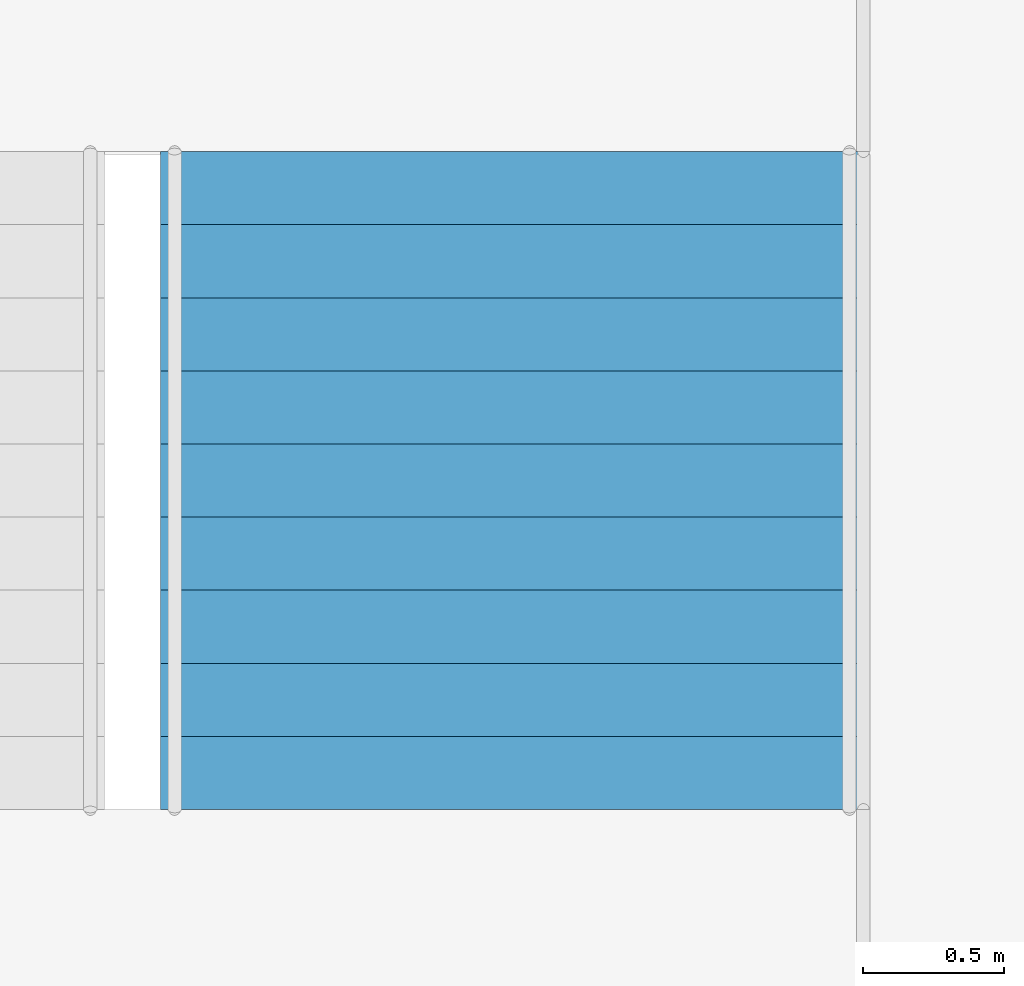
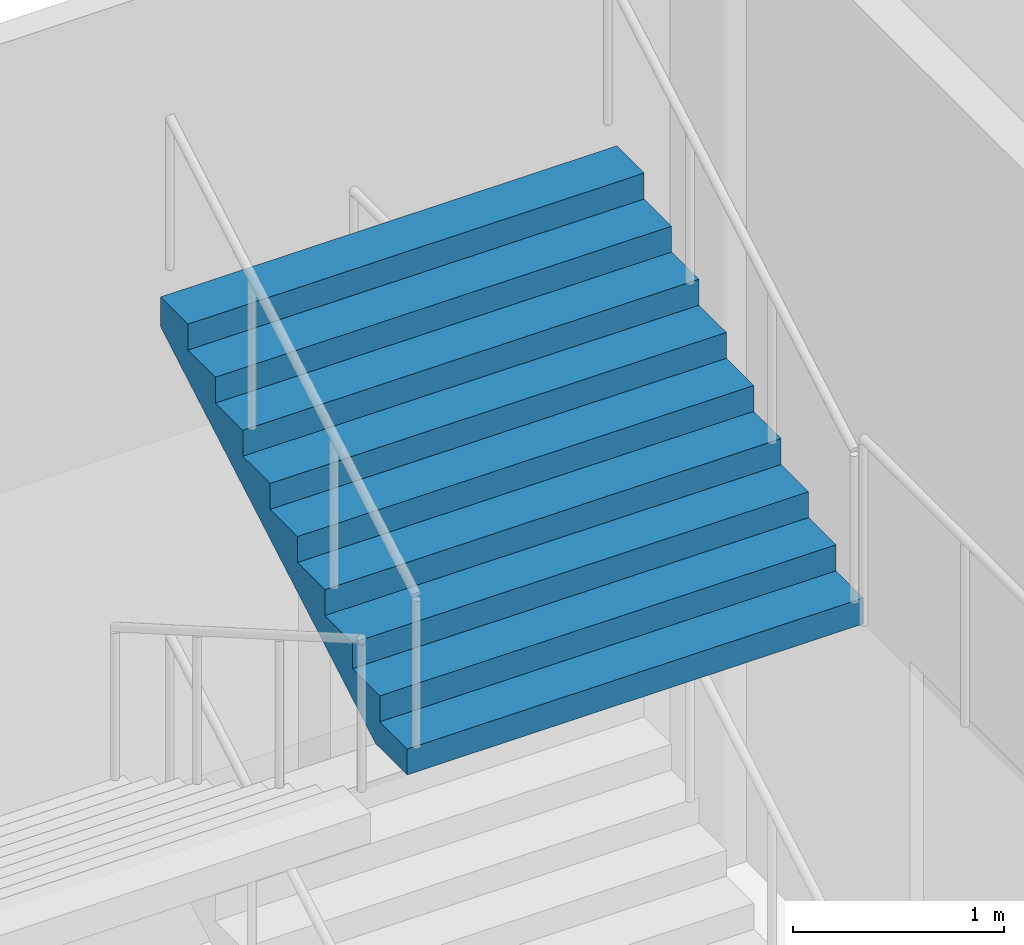
# One storey, part 61 of 100: 1 stair flight, 1 element without a shape of its own.
"""IFC4 building model written with IfcOpenShell, lengths in metres."""

from ifc_helpers import new_model, si_unit, direction, frame, origin, place, context, subcontext, project, spatial, triangles, material, type_object, element, aggregate, save


model = new_model("IFC4")

# Units and contexts
model_context = context("Model", 3, precision=1e-05, world=origin(), true_north=direction((0.0, 1.0)))
body_context = subcontext(model_context, "Body", "Model", "MODEL_VIEW")
ifc_project = project(units=[si_unit("LENGTHUNIT", "METRE"), si_unit("AREAUNIT", "SQUARE_METRE"), si_unit("VOLUMEUNIT", "CUBIC_METRE"), si_unit("PLANEANGLEUNIT", "RADIAN"), si_unit("MASSUNIT", "GRAM", prefix="KILO")], contexts=[model_context])

# Site, building, storey
site_placement = place(None, origin())
site = spatial("IfcSite", under=ifc_project, at=site_placement, CompositionType="ELEMENT")
building_placement = place(site_placement, origin())
building = spatial("IfcBuilding", under=site, at=building_placement, Name="Hakoniwa Tower and Hamabe Station Hall", CompositionType="ELEMENT")
storey_placement = place(building_placement, frame((0.0, 0.0, 9.0)))
storey = spatial("IfcBuildingStorey", under=building, at=storey_placement, Name="L02", CompositionType="ELEMENT", Elevation=9.0)

# Stair, stair flight
ifc_material_1 = material(Name="Concrete C40", Category="concrete")
stair_type = type_object("IfcStairType", Name="STAIR 2500 10X150", PredefinedType="HALF_TURN_STAIR", material=ifc_material_1)
stair_placement = place(storey_placement, origin())
stair = element("IfcStair", 1, at=stair_placement, inside=storey, type_object=stair_type, Name="Escape stair PS1", PredefinedType="HALF_TURN_STAIR")
ifc_material_2 = material(Name="Concrete C40", Category="concrete")
stair_flight_type = type_object("IfcStairFlightType", Name="STAIR FLIGHT 2500", PredefinedType="STRAIGHT", material=ifc_material_2)
stair_flight_placement = place(storey_placement, frame((-45.10009765625, 20.010009765625, 4.5), z_axis=(0.0, 0.0, 1.0), x_axis=(0.0, 1.0, 0.0)))
stair_flight = element("IfcStairFlight", 2, at=stair_flight_placement, type_object=stair_flight_type, Name="PS1 flight 4", NumberOfRisers=10, NumberOfTreads=9, PredefinedType="STRAIGHT", RiserHeight=0.15, TreadLength=0.26, context=body_context, shape_type="Tessellation", body=[
    triangles([(0.0, 1.25, 0.0), (0.260009765625, 1.25, 0.0), (0.300048828125, 1.25, 0.0), (0.52001953125, 1.25, 0.126953125), (0.780029296875, 1.25, 0.27685546875), (1.0400390625, 1.25, 0.427001953125), (1.300048828125, 1.25, 0.576904296875), (1.56005859375, 1.25, 0.72705078125), (1.820068359375, 1.25, 0.876953125), (2.080078125, 1.25, 1.02685546875), (2.340087890625, 1.25, 1.177001953125), (2.340087890625, 1.25, 1.35009765625), (2.080078125, 1.25, 1.35009765625), (2.080078125, 1.25, 1.199951171875), (1.820068359375, 1.25, 1.199951171875), (1.820068359375, 1.25, 1.050048828125), (1.56005859375, 1.25, 1.050048828125), (1.56005859375, 1.25, 0.89990234375), (1.300048828125, 1.25, 0.89990234375), (1.300048828125, 1.25, 0.75), (1.0400390625, 1.25, 0.75), (1.0400390625, 1.25, 0.60009765625), (0.780029296875, 1.25, 0.60009765625), (0.780029296875, 1.25, 0.449951171875), (0.52001953125, 1.25, 0.449951171875), (0.52001953125, 1.25, 0.300048828125), (0.300048828125, 1.25, 0.300048828125), (0.260009765625, 1.25, 0.300048828125), (0.260009765625, 1.25, 0.14990234375), (0.0, 1.25, 0.14990234375), (0.0, 0.06005859375, 0.0), (0.260009765625, 0.06005859375, 0.0), (0.300048828125, 0.06005859375, 0.0), (0.52001953125, 0.06005859375, 0.126953125), (0.780029296875, 0.06005859375, 0.27685546875), (1.0400390625, 0.06005859375, 0.427001953125), (1.300048828125, 0.06005859375, 0.576904296875), (1.56005859375, 0.06005859375, 0.72705078125), (1.820068359375, 0.06005859375, 0.876953125), (2.080078125, 0.06005859375, 1.02685546875), (2.340087890625, 0.06005859375, 1.177001953125), (2.340087890625, 0.06005859375, 1.35009765625), (2.080078125, 0.06005859375, 1.35009765625), (2.080078125, 0.06005859375, 1.199951171875), (1.820068359375, 0.06005859375, 1.199951171875), (1.820068359375, 0.06005859375, 1.050048828125), (1.56005859375, 0.06005859375, 1.050048828125), (1.56005859375, 0.06005859375, 0.89990234375), (1.300048828125, 0.06005859375, 0.89990234375), (1.300048828125, 0.06005859375, 0.75), (1.0400390625, 0.06005859375, 0.75), (1.0400390625, 0.06005859375, 0.60009765625), (0.780029296875, 0.06005859375, 0.60009765625), (0.780029296875, 0.06005859375, 0.449951171875), (0.52001953125, 0.06005859375, 0.449951171875), (0.52001953125, 0.06005859375, 0.300048828125), (0.300048828125, 0.06005859375, 0.300048828125), (0.260009765625, 0.06005859375, 0.300048828125), (0.260009765625, 0.06005859375, 0.14990234375), (0.0, 0.06005859375, 0.14990234375), (0.0, 0.049072265625, 0.0), (0.260009765625, 0.049072265625, 0.0), (0.300048828125, 0.049072265625, 0.0), (0.52001953125, 0.049072265625, 0.126953125), (0.780029296875, 0.049072265625, 0.27685546875), (1.0400390625, 0.049072265625, 0.427001953125), (1.300048828125, 0.049072265625, 0.576904296875), (1.56005859375, 0.049072265625, 0.72705078125), (1.820068359375, 0.049072265625, 0.876953125), (2.080078125, 0.049072265625, 1.02685546875), (2.340087890625, 0.049072265625, 1.177001953125), (2.340087890625, 0.049072265625, 1.35009765625), (2.080078125, 0.049072265625, 1.35009765625), (2.080078125, 0.049072265625, 1.199951171875), (1.820068359375, 0.049072265625, 1.199951171875), (1.820068359375, 0.049072265625, 1.050048828125), (1.56005859375, 0.049072265625, 1.050048828125), (1.56005859375, 0.049072265625, 0.89990234375), (1.300048828125, 0.049072265625, 0.89990234375), (1.300048828125, 0.049072265625, 0.75), (1.0400390625, 0.049072265625, 0.75), (1.0400390625, 0.049072265625, 0.60009765625), (0.780029296875, 0.049072265625, 0.60009765625), (0.780029296875, 0.049072265625, 0.449951171875), (0.52001953125, 0.049072265625, 0.449951171875), (0.52001953125, 0.049072265625, 0.300048828125), (0.300048828125, 0.049072265625, 0.300048828125), (0.260009765625, 0.049072265625, 0.300048828125), (0.260009765625, 0.049072265625, 0.14990234375), (0.0, 0.049072265625, 0.14990234375), (0.0, 0.0380859375, 0.0), (0.260009765625, 0.0380859375, 0.0), (0.300048828125, 0.0380859375, 0.0), (0.52001953125, 0.0380859375, 0.126953125), (0.780029296875, 0.0380859375, 0.27685546875), (1.0400390625, 0.0380859375, 0.427001953125), (1.300048828125, 0.0380859375, 0.576904296875), (1.56005859375, 0.0380859375, 0.72705078125), (1.820068359375, 0.0380859375, 0.876953125), (2.080078125, 0.0380859375, 1.02685546875), (2.340087890625, 0.0380859375, 1.177001953125), (2.340087890625, 0.0380859375, 1.35009765625), (2.080078125, 0.0380859375, 1.35009765625), (2.080078125, 0.0380859375, 1.199951171875), (1.820068359375, 0.0380859375, 1.199951171875), (1.820068359375, 0.0380859375, 1.050048828125), (1.56005859375, 0.0380859375, 1.050048828125), (1.56005859375, 0.0380859375, 0.89990234375), (1.300048828125, 0.0380859375, 0.89990234375), (1.300048828125, 0.0380859375, 0.75), (1.0400390625, 0.0380859375, 0.75), (1.0400390625, 0.0380859375, 0.60009765625), (0.780029296875, 0.0380859375, 0.60009765625), (0.780029296875, 0.0380859375, 0.449951171875), (0.52001953125, 0.0380859375, 0.449951171875), (0.52001953125, 0.0380859375, 0.300048828125), (0.300048828125, 0.0380859375, 0.300048828125), (0.260009765625, 0.0380859375, 0.300048828125), (0.260009765625, 0.0380859375, 0.14990234375), (0.0, 0.0380859375, 0.14990234375), (0.0, 0.02734375, 0.0), (0.260009765625, 0.02734375, 0.0), (0.300048828125, 0.02734375, 0.0), (0.52001953125, 0.02734375, 0.126953125), (0.780029296875, 0.02734375, 0.27685546875), (1.0400390625, 0.02734375, 0.427001953125), (1.300048828125, 0.02734375, 0.576904296875), (1.56005859375, 0.02734375, 0.72705078125), (1.820068359375, 0.02734375, 0.876953125), (2.080078125, 0.02734375, 1.02685546875), (2.340087890625, 0.02734375, 1.177001953125), (2.340087890625, 0.02734375, 1.35009765625), (2.080078125, 0.02734375, 1.35009765625), (2.080078125, 0.02734375, 1.199951171875), (1.820068359375, 0.02734375, 1.199951171875), (1.820068359375, 0.02734375, 1.050048828125), (1.56005859375, 0.02734375, 1.050048828125), (1.56005859375, 0.02734375, 0.89990234375), (1.300048828125, 0.02734375, 0.89990234375), (1.300048828125, 0.02734375, 0.75), (1.0400390625, 0.02734375, 0.75), (1.0400390625, 0.02734375, 0.60009765625), (0.780029296875, 0.02734375, 0.60009765625), (0.780029296875, 0.02734375, 0.449951171875), (0.52001953125, 0.02734375, 0.449951171875), (0.52001953125, 0.02734375, 0.300048828125), (0.300048828125, 0.02734375, 0.300048828125), (0.260009765625, 0.02734375, 0.300048828125), (0.260009765625, 0.02734375, 0.14990234375), (0.0, 0.02734375, 0.14990234375), (0.0, 0.016357421875, 0.0), (0.260009765625, 0.016357421875, 0.0), (0.300048828125, 0.016357421875, 0.0), (0.52001953125, 0.016357421875, 0.126953125), (0.780029296875, 0.016357421875, 0.27685546875), (1.0400390625, 0.016357421875, 0.427001953125), (1.300048828125, 0.016357421875, 0.576904296875), (1.56005859375, 0.016357421875, 0.72705078125), (1.820068359375, 0.016357421875, 0.876953125), (2.080078125, 0.016357421875, 1.02685546875), (2.340087890625, 0.016357421875, 1.177001953125), (2.340087890625, 0.016357421875, 1.35009765625), (2.080078125, 0.016357421875, 1.35009765625), (2.080078125, 0.016357421875, 1.199951171875), (1.820068359375, 0.016357421875, 1.199951171875), (1.820068359375, 0.016357421875, 1.050048828125), (1.56005859375, 0.016357421875, 1.050048828125), (1.56005859375, 0.016357421875, 0.89990234375), (1.300048828125, 0.016357421875, 0.89990234375), (1.300048828125, 0.016357421875, 0.75), (1.0400390625, 0.016357421875, 0.75), (1.0400390625, 0.016357421875, 0.60009765625), (0.780029296875, 0.016357421875, 0.60009765625), (0.780029296875, 0.016357421875, 0.449951171875), (0.52001953125, 0.016357421875, 0.449951171875), (0.52001953125, 0.016357421875, 0.300048828125), (0.300048828125, 0.016357421875, 0.300048828125), (0.260009765625, 0.016357421875, 0.300048828125), (0.260009765625, 0.016357421875, 0.14990234375), (0.0, 0.016357421875, 0.14990234375), (0.0, 0.00537109375, 0.0), (0.260009765625, 0.00537109375, 0.0), (0.300048828125, 0.00537109375, 0.0), (0.52001953125, 0.00537109375, 0.126953125), (0.780029296875, 0.00537109375, 0.27685546875), (1.0400390625, 0.00537109375, 0.427001953125), (1.300048828125, 0.00537109375, 0.576904296875), (1.56005859375, 0.00537109375, 0.72705078125), (1.820068359375, 0.00537109375, 0.876953125), (2.080078125, 0.00537109375, 1.02685546875), (2.340087890625, 0.00537109375, 1.177001953125), (2.340087890625, 0.00537109375, 1.35009765625), (2.080078125, 0.00537109375, 1.35009765625), (2.080078125, 0.00537109375, 1.199951171875), (1.820068359375, 0.00537109375, 1.199951171875), (1.820068359375, 0.00537109375, 1.050048828125), (1.56005859375, 0.00537109375, 1.050048828125), (1.56005859375, 0.00537109375, 0.89990234375), (1.300048828125, 0.00537109375, 0.89990234375), (1.300048828125, 0.00537109375, 0.75), (1.0400390625, 0.00537109375, 0.75), (1.0400390625, 0.00537109375, 0.60009765625), (0.780029296875, 0.00537109375, 0.60009765625), (0.780029296875, 0.00537109375, 0.449951171875), (0.52001953125, 0.00537109375, 0.449951171875), (0.52001953125, 0.00537109375, 0.300048828125), (0.300048828125, 0.00537109375, 0.300048828125), (0.260009765625, 0.00537109375, 0.300048828125), (0.260009765625, 0.00537109375, 0.14990234375), (0.0, 0.00537109375, 0.14990234375), (0.0, -0.00537109375, 0.0), (0.260009765625, -0.00537109375, 0.0), (0.300048828125, -0.00537109375, 0.0), (0.52001953125, -0.00537109375, 0.126953125), (0.780029296875, -0.00537109375, 0.27685546875), (1.0400390625, -0.00537109375, 0.427001953125), (1.300048828125, -0.00537109375, 0.576904296875), (1.56005859375, -0.00537109375, 0.72705078125), (1.820068359375, -0.00537109375, 0.876953125), (2.080078125, -0.00537109375, 1.02685546875), (2.340087890625, -0.00537109375, 1.177001953125), (2.340087890625, -0.00537109375, 1.35009765625), (2.080078125, -0.00537109375, 1.35009765625), (2.080078125, -0.00537109375, 1.199951171875), (1.820068359375, -0.00537109375, 1.199951171875), (1.820068359375, -0.00537109375, 1.050048828125), (1.56005859375, -0.00537109375, 1.050048828125), (1.56005859375, -0.00537109375, 0.89990234375), (1.300048828125, -0.00537109375, 0.89990234375), (1.300048828125, -0.00537109375, 0.75), (1.0400390625, -0.00537109375, 0.75), (1.0400390625, -0.00537109375, 0.60009765625), (0.780029296875, -0.00537109375, 0.60009765625), (0.780029296875, -0.00537109375, 0.449951171875), (0.52001953125, -0.00537109375, 0.449951171875), (0.52001953125, -0.00537109375, 0.300048828125), (0.300048828125, -0.00537109375, 0.300048828125), (0.260009765625, -0.00537109375, 0.300048828125), (0.260009765625, -0.00537109375, 0.14990234375), (0.0, -0.00537109375, 0.14990234375), (0.0, -0.016357421875, 0.0), (0.260009765625, -0.016357421875, 0.0), (0.300048828125, -0.016357421875, 0.0), (0.52001953125, -0.016357421875, 0.126953125), (0.780029296875, -0.016357421875, 0.27685546875), (1.0400390625, -0.016357421875, 0.427001953125), (1.300048828125, -0.016357421875, 0.576904296875), (1.56005859375, -0.016357421875, 0.72705078125), (1.820068359375, -0.016357421875, 0.876953125), (2.080078125, -0.016357421875, 1.02685546875), (2.340087890625, -0.016357421875, 1.177001953125), (2.340087890625, -0.016357421875, 1.35009765625), (2.080078125, -0.016357421875, 1.35009765625), (2.080078125, -0.016357421875, 1.199951171875), (1.820068359375, -0.016357421875, 1.199951171875), (1.820068359375, -0.016357421875, 1.050048828125), (1.56005859375, -0.016357421875, 1.050048828125), (1.56005859375, -0.016357421875, 0.89990234375), (1.300048828125, -0.016357421875, 0.89990234375), (1.300048828125, -0.016357421875, 0.75), (1.0400390625, -0.016357421875, 0.75), (1.0400390625, -0.016357421875, 0.60009765625), (0.780029296875, -0.016357421875, 0.60009765625), (0.780029296875, -0.016357421875, 0.449951171875), (0.52001953125, -0.016357421875, 0.449951171875), (0.52001953125, -0.016357421875, 0.300048828125), (0.300048828125, -0.016357421875, 0.300048828125), (0.260009765625, -0.016357421875, 0.300048828125), (0.260009765625, -0.016357421875, 0.14990234375), (0.0, -0.016357421875, 0.14990234375), (0.0, -0.02734375, 0.0), (0.260009765625, -0.02734375, 0.0), (0.300048828125, -0.02734375, 0.0), (0.52001953125, -0.02734375, 0.126953125), (0.780029296875, -0.02734375, 0.27685546875), (1.0400390625, -0.02734375, 0.427001953125), (1.300048828125, -0.02734375, 0.576904296875), (1.56005859375, -0.02734375, 0.72705078125), (1.820068359375, -0.02734375, 0.876953125), (2.080078125, -0.02734375, 1.02685546875), (2.340087890625, -0.02734375, 1.177001953125), (2.340087890625, -0.02734375, 1.35009765625), (2.080078125, -0.02734375, 1.35009765625), (2.080078125, -0.02734375, 1.199951171875), (1.820068359375, -0.02734375, 1.199951171875), (1.820068359375, -0.02734375, 1.050048828125), (1.56005859375, -0.02734375, 1.050048828125), (1.56005859375, -0.02734375, 0.89990234375), (1.300048828125, -0.02734375, 0.89990234375), (1.300048828125, -0.02734375, 0.75), (1.0400390625, -0.02734375, 0.75), (1.0400390625, -0.02734375, 0.60009765625), (0.780029296875, -0.02734375, 0.60009765625), (0.780029296875, -0.02734375, 0.449951171875), (0.52001953125, -0.02734375, 0.449951171875), (0.52001953125, -0.02734375, 0.300048828125), (0.300048828125, -0.02734375, 0.300048828125), (0.260009765625, -0.02734375, 0.300048828125), (0.260009765625, -0.02734375, 0.14990234375), (0.0, -0.02734375, 0.14990234375), (0.0, -0.0380859375, 0.0), (0.260009765625, -0.0380859375, 0.0), (0.300048828125, -0.0380859375, 0.0), (0.52001953125, -0.0380859375, 0.126953125), (0.780029296875, -0.0380859375, 0.27685546875), (1.0400390625, -0.0380859375, 0.427001953125), (1.300048828125, -0.0380859375, 0.576904296875), (1.56005859375, -0.0380859375, 0.72705078125), (1.820068359375, -0.0380859375, 0.876953125), (2.080078125, -0.0380859375, 1.02685546875), (2.340087890625, -0.0380859375, 1.177001953125), (2.340087890625, -0.0380859375, 1.35009765625), (2.080078125, -0.0380859375, 1.35009765625), (2.080078125, -0.0380859375, 1.199951171875), (1.820068359375, -0.0380859375, 1.199951171875), (1.820068359375, -0.0380859375, 1.050048828125), (1.56005859375, -0.0380859375, 1.050048828125), (1.56005859375, -0.0380859375, 0.89990234375), (1.300048828125, -0.0380859375, 0.89990234375), (1.300048828125, -0.0380859375, 0.75), (1.0400390625, -0.0380859375, 0.75), (1.0400390625, -0.0380859375, 0.60009765625), (0.780029296875, -0.0380859375, 0.60009765625), (0.780029296875, -0.0380859375, 0.449951171875), (0.52001953125, -0.0380859375, 0.449951171875), (0.52001953125, -0.0380859375, 0.300048828125), (0.300048828125, -0.0380859375, 0.300048828125), (0.260009765625, -0.0380859375, 0.300048828125), (0.260009765625, -0.0380859375, 0.14990234375), (0.0, -0.0380859375, 0.14990234375), (0.0, -0.049072265625, 0.0), (0.260009765625, -0.049072265625, 0.0), (0.300048828125, -0.049072265625, 0.0), (0.52001953125, -0.049072265625, 0.126953125), (0.780029296875, -0.049072265625, 0.27685546875), (1.0400390625, -0.049072265625, 0.427001953125), (1.300048828125, -0.049072265625, 0.576904296875), (1.56005859375, -0.049072265625, 0.72705078125), (1.820068359375, -0.049072265625, 0.876953125), (2.080078125, -0.049072265625, 1.02685546875), (2.340087890625, -0.049072265625, 1.177001953125), (2.340087890625, -0.049072265625, 1.35009765625), (2.080078125, -0.049072265625, 1.35009765625), (2.080078125, -0.049072265625, 1.199951171875), (1.820068359375, -0.049072265625, 1.199951171875), (1.820068359375, -0.049072265625, 1.050048828125), (1.56005859375, -0.049072265625, 1.050048828125), (1.56005859375, -0.049072265625, 0.89990234375), (1.300048828125, -0.049072265625, 0.89990234375), (1.300048828125, -0.049072265625, 0.75), (1.0400390625, -0.049072265625, 0.75), (1.0400390625, -0.049072265625, 0.60009765625), (0.780029296875, -0.049072265625, 0.60009765625), (0.780029296875, -0.049072265625, 0.449951171875), (0.52001953125, -0.049072265625, 0.449951171875), (0.52001953125, -0.049072265625, 0.300048828125), (0.300048828125, -0.049072265625, 0.300048828125), (0.260009765625, -0.049072265625, 0.300048828125), (0.260009765625, -0.049072265625, 0.14990234375), (0.0, -0.049072265625, 0.14990234375), (0.0, -0.06005859375, 0.0), (0.260009765625, -0.06005859375, 0.0), (0.300048828125, -0.06005859375, 0.0), (0.52001953125, -0.06005859375, 0.126953125), (0.780029296875, -0.06005859375, 0.27685546875), (1.0400390625, -0.06005859375, 0.427001953125), (1.300048828125, -0.06005859375, 0.576904296875), (1.56005859375, -0.06005859375, 0.72705078125), (1.820068359375, -0.06005859375, 0.876953125), (2.080078125, -0.06005859375, 1.02685546875), (2.340087890625, -0.06005859375, 1.177001953125), (2.340087890625, -0.06005859375, 1.35009765625), (2.080078125, -0.06005859375, 1.35009765625), (2.080078125, -0.06005859375, 1.199951171875), (1.820068359375, -0.06005859375, 1.199951171875), (1.820068359375, -0.06005859375, 1.050048828125), (1.56005859375, -0.06005859375, 1.050048828125), (1.56005859375, -0.06005859375, 0.89990234375), (1.300048828125, -0.06005859375, 0.89990234375), (1.300048828125, -0.06005859375, 0.75), (1.0400390625, -0.06005859375, 0.75), (1.0400390625, -0.06005859375, 0.60009765625), (0.780029296875, -0.06005859375, 0.60009765625), (0.780029296875, -0.06005859375, 0.449951171875), (0.52001953125, -0.06005859375, 0.449951171875), (0.52001953125, -0.06005859375, 0.300048828125), (0.300048828125, -0.06005859375, 0.300048828125), (0.260009765625, -0.06005859375, 0.300048828125), (0.260009765625, -0.06005859375, 0.14990234375), (0.0, -0.06005859375, 0.14990234375), (0.0, -1.25, 0.0), (0.260009765625, -1.25, 0.0), (0.300048828125, -1.25, 0.0), (0.52001953125, -1.25, 0.126953125), (0.780029296875, -1.25, 0.27685546875), (1.0400390625, -1.25, 0.427001953125), (1.300048828125, -1.25, 0.576904296875), (1.56005859375, -1.25, 0.72705078125), (1.820068359375, -1.25, 0.876953125), (2.080078125, -1.25, 1.02685546875), (2.340087890625, -1.25, 1.177001953125), (2.340087890625, -1.25, 1.35009765625), (2.080078125, -1.25, 1.35009765625), (2.080078125, -1.25, 1.199951171875), (1.820068359375, -1.25, 1.199951171875), (1.820068359375, -1.25, 1.050048828125), (1.56005859375, -1.25, 1.050048828125), (1.56005859375, -1.25, 0.89990234375), (1.300048828125, -1.25, 0.89990234375), (1.300048828125, -1.25, 0.75), (1.0400390625, -1.25, 0.75), (1.0400390625, -1.25, 0.60009765625), (0.780029296875, -1.25, 0.60009765625), (0.780029296875, -1.25, 0.449951171875), (0.52001953125, -1.25, 0.449951171875), (0.52001953125, -1.25, 0.300048828125), (0.300048828125, -1.25, 0.300048828125), (0.260009765625, -1.25, 0.300048828125), (0.260009765625, -1.25, 0.14990234375), (0.0, -1.25, 0.14990234375)], [[2, 30, 29], [392, 419, 420], [2, 1, 30], [392, 420, 391], [3, 28, 27], [393, 417, 418], [3, 29, 28], [393, 418, 419], [3, 2, 29], [393, 419, 392], [4, 27, 26], [394, 416, 417], [4, 3, 27], [394, 417, 393], [5, 25, 24], [395, 414, 415], [5, 26, 25], [395, 415, 416], [5, 4, 26], [395, 416, 394], [6, 23, 22], [396, 412, 413], [6, 24, 23], [396, 413, 414], [6, 5, 24], [396, 414, 395], [7, 21, 20], [397, 410, 411], [7, 22, 21], [397, 411, 412], [7, 6, 22], [397, 412, 396], [8, 19, 18], [398, 408, 409], [8, 20, 19], [398, 409, 410], [8, 7, 20], [398, 410, 397], [9, 17, 16], [399, 406, 407], [9, 18, 17], [399, 407, 408], [9, 8, 18], [399, 408, 398], [10, 15, 14], [400, 404, 405], [10, 16, 15], [400, 405, 406], [10, 9, 16], [400, 406, 399], [11, 13, 12], [401, 402, 403], [11, 14, 13], [401, 403, 404], [11, 10, 14], [401, 404, 400], [1, 2, 32], [1, 32, 31], [31, 32, 62], [31, 62, 61], [61, 62, 92], [61, 92, 91], [91, 92, 122], [91, 122, 121], [121, 122, 152], [121, 152, 151], [151, 152, 182], [151, 182, 181], [181, 182, 212], [181, 212, 211], [211, 212, 242], [211, 242, 241], [241, 242, 272], [241, 272, 271], [271, 272, 302], [271, 302, 301], [301, 302, 332], [301, 332, 331], [331, 332, 362], [331, 362, 361], [361, 362, 392], [361, 392, 391], [2, 3, 33], [2, 33, 32], [32, 33, 63], [32, 63, 62], [62, 63, 93], [62, 93, 92], [92, 93, 123], [92, 123, 122], [122, 123, 153], [122, 153, 152], [152, 153, 183], [152, 183, 182], [182, 183, 213], [182, 213, 212], [212, 213, 243], [212, 243, 242], [242, 243, 273], [242, 273, 272], [272, 273, 303], [272, 303, 302], [302, 303, 333], [302, 333, 332], [332, 333, 363], [332, 363, 362], [362, 363, 393], [362, 393, 392], [3, 4, 34], [3, 34, 33], [33, 34, 64], [33, 64, 63], [63, 64, 94], [63, 94, 93], [93, 94, 124], [93, 124, 123], [123, 124, 154], [123, 154, 153], [153, 154, 184], [153, 184, 183], [183, 184, 214], [183, 214, 213], [213, 214, 244], [213, 244, 243], [243, 244, 274], [243, 274, 273], [273, 274, 304], [273, 304, 303], [303, 304, 334], [303, 334, 333], [333, 334, 364], [333, 364, 363], [363, 364, 394], [363, 394, 393], [4, 5, 35], [4, 35, 34], [34, 35, 65], [34, 65, 64], [64, 65, 95], [64, 95, 94], [94, 95, 125], [94, 125, 124], [124, 125, 155], [124, 155, 154], [154, 155, 185], [154, 185, 184], [184, 185, 215], [184, 215, 214], [214, 215, 245], [214, 245, 244], [244, 245, 275], [244, 275, 274], [274, 275, 305], [274, 305, 304], [304, 305, 335], [304, 335, 334], [334, 335, 365], [334, 365, 364], [364, 365, 395], [364, 395, 394], [5, 6, 36], [5, 36, 35], [35, 36, 66], [35, 66, 65], [65, 66, 96], [65, 96, 95], [95, 96, 126], [95, 126, 125], [125, 126, 156], [125, 156, 155], [155, 156, 186], [155, 186, 185], [185, 186, 216], [185, 216, 215], [215, 216, 246], [215, 246, 245], [245, 246, 276], [245, 276, 275], [275, 276, 306], [275, 306, 305], [305, 306, 336], [305, 336, 335], [335, 336, 366], [335, 366, 365], [365, 366, 396], [365, 396, 395], [6, 7, 37], [6, 37, 36], [36, 37, 67], [36, 67, 66], [66, 67, 97], [66, 97, 96], [96, 97, 127], [96, 127, 126], [126, 127, 157], [126, 157, 156], [156, 157, 187], [156, 187, 186], [186, 187, 217], [186, 217, 216], [216, 217, 247], [216, 247, 246], [246, 247, 277], [246, 277, 276], [276, 277, 307], [276, 307, 306], [306, 307, 337], [306, 337, 336], [336, 337, 367], [336, 367, 366], [366, 367, 397], [366, 397, 396], [7, 8, 38], [7, 38, 37], [37, 38, 68], [37, 68, 67], [67, 68, 98], [67, 98, 97], [97, 98, 128], [97, 128, 127], [127, 128, 158], [127, 158, 157], [157, 158, 188], [157, 188, 187], [187, 188, 218], [187, 218, 217], [217, 218, 248], [217, 248, 247], [247, 248, 278], [247, 278, 277], [277, 278, 308], [277, 308, 307], [307, 308, 338], [307, 338, 337], [337, 338, 368], [337, 368, 367], [367, 368, 398], [367, 398, 397], [8, 9, 39], [8, 39, 38], [38, 39, 69], [38, 69, 68], [68, 69, 99], [68, 99, 98], [98, 99, 129], [98, 129, 128], [128, 129, 159], [128, 159, 158], [158, 159, 189], [158, 189, 188], [188, 189, 219], [188, 219, 218], [218, 219, 249], [218, 249, 248], [248, 249, 279], [248, 279, 278], [278, 279, 309], [278, 309, 308], [308, 309, 339], [308, 339, 338], [338, 339, 369], [338, 369, 368], [368, 369, 399], [368, 399, 398], [9, 10, 40], [9, 40, 39], [39, 40, 70], [39, 70, 69], [69, 70, 100], [69, 100, 99], [99, 100, 130], [99, 130, 129], [129, 130, 160], [129, 160, 159], [159, 160, 190], [159, 190, 189], [189, 190, 220], [189, 220, 219], [219, 220, 250], [219, 250, 249], [249, 250, 280], [249, 280, 279], [279, 280, 310], [279, 310, 309], [309, 310, 340], [309, 340, 339], [339, 340, 370], [339, 370, 369], [369, 370, 400], [369, 400, 399], [10, 11, 41], [10, 41, 40], [40, 41, 71], [40, 71, 70], [70, 71, 101], [70, 101, 100], [100, 101, 131], [100, 131, 130], [130, 131, 161], [130, 161, 160], [160, 161, 191], [160, 191, 190], [190, 191, 221], [190, 221, 220], [220, 221, 251], [220, 251, 250], [250, 251, 281], [250, 281, 280], [280, 281, 311], [280, 311, 310], [310, 311, 341], [310, 341, 340], [340, 341, 371], [340, 371, 370], [370, 371, 401], [370, 401, 400], [11, 12, 42], [11, 42, 41], [41, 42, 72], [41, 72, 71], [71, 72, 102], [71, 102, 101], [101, 102, 132], [101, 132, 131], [131, 132, 162], [131, 162, 161], [161, 162, 192], [161, 192, 191], [191, 192, 222], [191, 222, 221], [221, 222, 252], [221, 252, 251], [251, 252, 282], [251, 282, 281], [281, 282, 312], [281, 312, 311], [311, 312, 342], [311, 342, 341], [341, 342, 372], [341, 372, 371], [371, 372, 402], [371, 402, 401], [12, 13, 43], [12, 43, 42], [42, 43, 73], [42, 73, 72], [72, 73, 103], [72, 103, 102], [102, 103, 133], [102, 133, 132], [132, 133, 163], [132, 163, 162], [162, 163, 193], [162, 193, 192], [192, 193, 223], [192, 223, 222], [222, 223, 253], [222, 253, 252], [252, 253, 283], [252, 283, 282], [282, 283, 313], [282, 313, 312], [312, 313, 343], [312, 343, 342], [342, 343, 373], [342, 373, 372], [372, 373, 403], [372, 403, 402], [13, 14, 44], [13, 44, 43], [43, 44, 74], [43, 74, 73], [73, 74, 104], [73, 104, 103], [103, 104, 134], [103, 134, 133], [133, 134, 164], [133, 164, 163], [163, 164, 194], [163, 194, 193], [193, 194, 224], [193, 224, 223], [223, 224, 254], [223, 254, 253], [253, 254, 284], [253, 284, 283], [283, 284, 314], [283, 314, 313], [313, 314, 344], [313, 344, 343], [343, 344, 374], [343, 374, 373], [373, 374, 404], [373, 404, 403], [14, 15, 45], [14, 45, 44], [44, 45, 75], [44, 75, 74], [74, 75, 105], [74, 105, 104], [104, 105, 135], [104, 135, 134], [134, 135, 165], [134, 165, 164], [164, 165, 195], [164, 195, 194], [194, 195, 225], [194, 225, 224], [224, 225, 255], [224, 255, 254], [254, 255, 285], [254, 285, 284], [284, 285, 315], [284, 315, 314], [314, 315, 345], [314, 345, 344], [344, 345, 375], [344, 375, 374], [374, 375, 405], [374, 405, 404], [15, 16, 46], [15, 46, 45], [45, 46, 76], [45, 76, 75], [75, 76, 106], [75, 106, 105], [105, 106, 136], [105, 136, 135], [135, 136, 166], [135, 166, 165], [165, 166, 196], [165, 196, 195], [195, 196, 226], [195, 226, 225], [225, 226, 256], [225, 256, 255], [255, 256, 286], [255, 286, 285], [285, 286, 316], [285, 316, 315], [315, 316, 346], [315, 346, 345], [345, 346, 376], [345, 376, 375], [375, 376, 406], [375, 406, 405], [16, 17, 47], [16, 47, 46], [46, 47, 77], [46, 77, 76], [76, 77, 107], [76, 107, 106], [106, 107, 137], [106, 137, 136], [136, 137, 167], [136, 167, 166], [166, 167, 197], [166, 197, 196], [196, 197, 227], [196, 227, 226], [226, 227, 257], [226, 257, 256], [256, 257, 287], [256, 287, 286], [286, 287, 317], [286, 317, 316], [316, 317, 347], [316, 347, 346], [346, 347, 377], [346, 377, 376], [376, 377, 407], [376, 407, 406], [17, 18, 48], [17, 48, 47], [47, 48, 78], [47, 78, 77], [77, 78, 108], [77, 108, 107], [107, 108, 138], [107, 138, 137], [137, 138, 168], [137, 168, 167], [167, 168, 198], [167, 198, 197], [197, 198, 228], [197, 228, 227], [227, 228, 258], [227, 258, 257], [257, 258, 288], [257, 288, 287], [287, 288, 318], [287, 318, 317], [317, 318, 348], [317, 348, 347], [347, 348, 378], [347, 378, 377], [377, 378, 408], [377, 408, 407], [18, 19, 49], [18, 49, 48], [48, 49, 79], [48, 79, 78], [78, 79, 109], [78, 109, 108], [108, 109, 139], [108, 139, 138], [138, 139, 169], [138, 169, 168], [168, 169, 199], [168, 199, 198], [198, 199, 229], [198, 229, 228], [228, 229, 259], [228, 259, 258], [258, 259, 289], [258, 289, 288], [288, 289, 319], [288, 319, 318], [318, 319, 349], [318, 349, 348], [348, 349, 379], [348, 379, 378], [378, 379, 409], [378, 409, 408], [19, 20, 50], [19, 50, 49], [49, 50, 80], [49, 80, 79], [79, 80, 110], [79, 110, 109], [109, 110, 140], [109, 140, 139], [139, 140, 170], [139, 170, 169], [169, 170, 200], [169, 200, 199], [199, 200, 230], [199, 230, 229], [229, 230, 260], [229, 260, 259], [259, 260, 290], [259, 290, 289], [289, 290, 320], [289, 320, 319], [319, 320, 350], [319, 350, 349], [349, 350, 380], [349, 380, 379], [379, 380, 410], [379, 410, 409], [20, 21, 51], [20, 51, 50], [50, 51, 81], [50, 81, 80], [80, 81, 111], [80, 111, 110], [110, 111, 141], [110, 141, 140], [140, 141, 171], [140, 171, 170], [170, 171, 201], [170, 201, 200], [200, 201, 231], [200, 231, 230], [230, 231, 261], [230, 261, 260], [260, 261, 291], [260, 291, 290], [290, 291, 321], [290, 321, 320], [320, 321, 351], [320, 351, 350], [350, 351, 381], [350, 381, 380], [380, 381, 411], [380, 411, 410], [21, 22, 52], [21, 52, 51], [51, 52, 82], [51, 82, 81], [81, 82, 112], [81, 112, 111], [111, 112, 142], [111, 142, 141], [141, 142, 172], [141, 172, 171], [171, 172, 202], [171, 202, 201], [201, 202, 232], [201, 232, 231], [231, 232, 262], [231, 262, 261], [261, 262, 292], [261, 292, 291], [291, 292, 322], [291, 322, 321], [321, 322, 352], [321, 352, 351], [351, 352, 382], [351, 382, 381], [381, 382, 412], [381, 412, 411], [22, 23, 53], [22, 53, 52], [52, 53, 83], [52, 83, 82], [82, 83, 113], [82, 113, 112], [112, 113, 143], [112, 143, 142], [142, 143, 173], [142, 173, 172], [172, 173, 203], [172, 203, 202], [202, 203, 233], [202, 233, 232], [232, 233, 263], [232, 263, 262], [262, 263, 293], [262, 293, 292], [292, 293, 323], [292, 323, 322], [322, 323, 353], [322, 353, 352], [352, 353, 383], [352, 383, 382], [382, 383, 413], [382, 413, 412], [23, 24, 54], [23, 54, 53], [53, 54, 84], [53, 84, 83], [83, 84, 114], [83, 114, 113], [113, 114, 144], [113, 144, 143], [143, 144, 174], [143, 174, 173], [173, 174, 204], [173, 204, 203], [203, 204, 234], [203, 234, 233], [233, 234, 264], [233, 264, 263], [263, 264, 294], [263, 294, 293], [293, 294, 324], [293, 324, 323], [323, 324, 354], [323, 354, 353], [353, 354, 384], [353, 384, 383], [383, 384, 414], [383, 414, 413], [24, 25, 55], [24, 55, 54], [54, 55, 85], [54, 85, 84], [84, 85, 115], [84, 115, 114], [114, 115, 145], [114, 145, 144], [144, 145, 175], [144, 175, 174], [174, 175, 205], [174, 205, 204], [204, 205, 235], [204, 235, 234], [234, 235, 265], [234, 265, 264], [264, 265, 295], [264, 295, 294], [294, 295, 325], [294, 325, 324], [324, 325, 355], [324, 355, 354], [354, 355, 385], [354, 385, 384], [384, 385, 415], [384, 415, 414], [25, 26, 56], [25, 56, 55], [55, 56, 86], [55, 86, 85], [85, 86, 116], [85, 116, 115], [115, 116, 146], [115, 146, 145], [145, 146, 176], [145, 176, 175], [175, 176, 206], [175, 206, 205], [205, 206, 236], [205, 236, 235], [235, 236, 266], [235, 266, 265], [265, 266, 296], [265, 296, 295], [295, 296, 326], [295, 326, 325], [325, 326, 356], [325, 356, 355], [355, 356, 386], [355, 386, 385], [385, 386, 416], [385, 416, 415], [26, 27, 57], [26, 57, 56], [56, 57, 87], [56, 87, 86], [86, 87, 117], [86, 117, 116], [116, 117, 147], [116, 147, 146], [146, 147, 177], [146, 177, 176], [176, 177, 207], [176, 207, 206], [206, 207, 237], [206, 237, 236], [236, 237, 267], [236, 267, 266], [266, 267, 297], [266, 297, 296], [296, 297, 327], [296, 327, 326], [326, 327, 357], [326, 357, 356], [356, 357, 387], [356, 387, 386], [386, 387, 417], [386, 417, 416], [27, 28, 58], [27, 58, 57], [57, 58, 88], [57, 88, 87], [87, 88, 118], [87, 118, 117], [117, 118, 148], [117, 148, 147], [147, 148, 178], [147, 178, 177], [177, 178, 208], [177, 208, 207], [207, 208, 238], [207, 238, 237], [237, 238, 268], [237, 268, 267], [267, 268, 298], [267, 298, 297], [297, 298, 328], [297, 328, 327], [327, 328, 358], [327, 358, 357], [357, 358, 388], [357, 388, 387], [387, 388, 418], [387, 418, 417], [28, 29, 59], [28, 59, 58], [58, 59, 89], [58, 89, 88], [88, 89, 119], [88, 119, 118], [118, 119, 149], [118, 149, 148], [148, 149, 179], [148, 179, 178], [178, 179, 209], [178, 209, 208], [208, 209, 239], [208, 239, 238], [238, 239, 269], [238, 269, 268], [268, 269, 299], [268, 299, 298], [298, 299, 329], [298, 329, 328], [328, 329, 359], [328, 359, 358], [358, 359, 389], [358, 389, 388], [388, 389, 419], [388, 419, 418], [29, 30, 60], [29, 60, 59], [59, 60, 90], [59, 90, 89], [89, 90, 120], [89, 120, 119], [119, 120, 150], [119, 150, 149], [149, 150, 180], [149, 180, 179], [179, 180, 210], [179, 210, 209], [209, 210, 240], [209, 240, 239], [239, 240, 270], [239, 270, 269], [269, 270, 300], [269, 300, 299], [299, 300, 330], [299, 330, 329], [329, 330, 360], [329, 360, 359], [359, 360, 390], [359, 390, 389], [389, 390, 420], [389, 420, 419], [30, 1, 31], [30, 31, 60], [60, 31, 61], [60, 61, 90], [90, 61, 91], [90, 91, 120], [120, 91, 121], [120, 121, 150], [150, 121, 151], [150, 151, 180], [180, 151, 181], [180, 181, 210], [210, 181, 211], [210, 211, 240], [240, 211, 241], [240, 241, 270], [270, 241, 271], [270, 271, 300], [300, 271, 301], [300, 301, 330], [330, 301, 331], [330, 331, 360], [360, 331, 361], [360, 361, 390], [390, 361, 391], [390, 391, 420]], closed=True),
])
aggregate(stair, [stair_flight])

save(model, "model.ifc")
